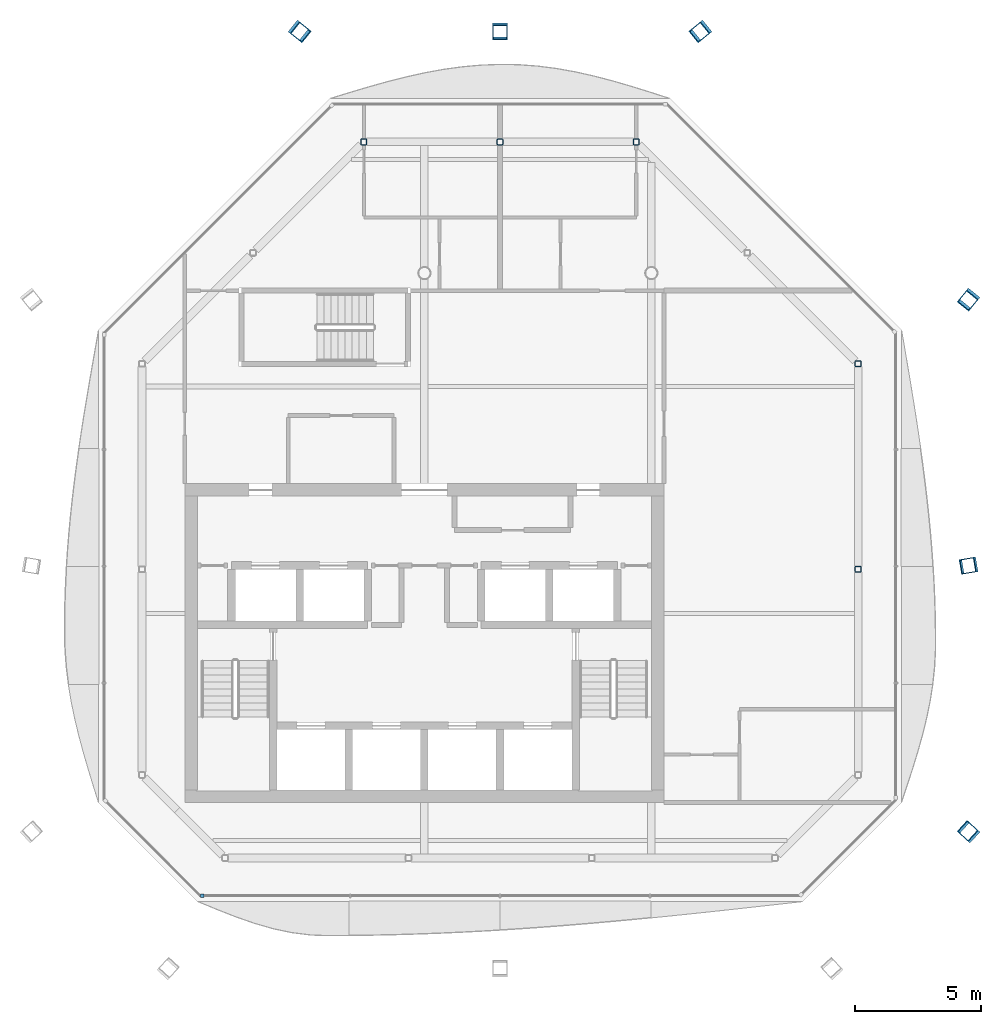
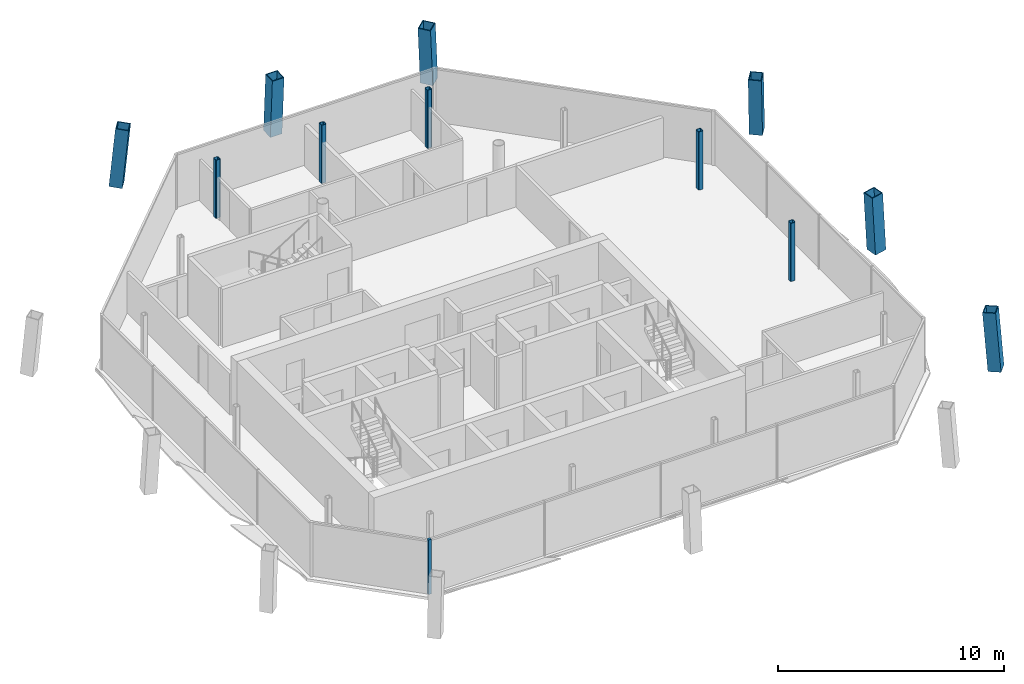
# One storey, part 2 of 13: 11 columns, 1 member, 1 element without a shape of its own.
"""IFC4 building model written with IfcOpenShell, lengths in metres."""

from ifc_helpers import new_model, si_unit, direction, frame, origin, origin_2d, place, context, subcontext, project, spatial, rectangle, hollow_rectangle, extrude, material, material_profile, profile_set, type_object, element, aggregate, save


model = new_model("IFC4")

# Units and contexts
model_context = context("Model", 3, precision=1e-05, world=origin(), true_north=direction((0.0, 1.0)))
body_context = subcontext(model_context, "Body", "Model", "MODEL_VIEW")
ifc_project = project(units=[si_unit("LENGTHUNIT", "METRE"), si_unit("AREAUNIT", "SQUARE_METRE"), si_unit("VOLUMEUNIT", "CUBIC_METRE"), si_unit("PLANEANGLEUNIT", "RADIAN"), si_unit("MASSUNIT", "GRAM", prefix="KILO")], contexts=[model_context])

# Site, building, storey
site_placement = place(None, origin())
site = spatial("IfcSite", under=ifc_project, at=site_placement, CompositionType="ELEMENT")
building_placement = place(site_placement, origin())
building = spatial("IfcBuilding", under=site, at=building_placement, Name="Tskaro Facet Tower", CompositionType="ELEMENT")
storey_placement = place(building_placement, frame((0.0, 0.0, 281.550048828125)))
storey = spatial("IfcBuildingStorey", under=building, at=storey_placement, Name="L75", CompositionType="ELEMENT", Elevation=281.550048828125)

# Columns
ifc_material_1 = material(Name="Steel S355J2", Category="steel")
ifc_material_profile_1 = material_profile(ifc_material_1, hollow_rectangle(XDim=0.60009765625, YDim=0.60009765625, WallThickness=0.0400390625, at=origin_2d()), Name="BOX 600x600x40")
ifc_profile_set_1 = profile_set([ifc_material_profile_1], Name="Steel S355J2")
column_type_1 = type_object("IfcColumnType", Name="BOX 600x600x40 mega column", PredefinedType="COLUMN", material=ifc_profile_set_1)
column_1_placement = place(storey_placement, frame((21.614990234375, -13.18798828125, 0.0), z_axis=(-0.057951446548, 0.052851719252, 0.996919417814), x_axis=(-0.673848784787, -0.738869281565, 0.0)))
element("IfcColumn", 1, at=column_1_placement, inside=storey, type_object=column_type_1, Name="BOX 600x600x40 MC04/6", PredefinedType="COLUMN", context=body_context, shape_type="SweptSolid", body=[
    extrude(hollow_rectangle(XDim=0.60009765625, YDim=0.60009765625, WallThickness=0.0400390625, at=origin_2d()), origin(), (0.0, 0.0, 1.0), 3.15966796875),
])
column_2_placement = place(storey_placement, frame((21.614990234375, -2.60009765625, 0.0), z_axis=(-0.058029752708, -0.009826371459, 0.998266492588), x_axis=(0.166956611923, -0.985964243639, 0.0)))
element("IfcColumn", 2, at=column_2_placement, inside=storey, type_object=column_type_1, Name="BOX 600x600x40 MC05/6", PredefinedType="COLUMN", context=body_context, shape_type="SweptSolid", body=[
    extrude(hollow_rectangle(XDim=0.60009765625, YDim=0.60009765625, WallThickness=0.0400390625, at=origin_2d()), origin(), (0.0, 0.0, 1.0), 3.1552734375),
])
for number, where, z_axis, x_axis, name in (
    (3, (21.614990234375, 7.987060546875, 0.0), (-0.057882880729, -0.071774772104, 0.99573990289), (0.778413039475, -0.62775245119, 0.0), "BOX 600x600x40 MC06/6"),
    (4, (10.987060546875, 18.614990234375, 0.0), (-0.071774772104, -0.057882880729, 0.99573990289), (0.62775245119, -0.778413039475, 0.0), "BOX 600x600x40 MC07/6"),
):
    element("IfcColumn", number, at=place(storey_placement, frame(where, z_axis=z_axis, x_axis=x_axis)), inside=storey, type_object=column_type_1, Name=name, PredefinedType="COLUMN", context=body_context, shape_type="SweptSolid", body=[
        extrude(hollow_rectangle(XDim=0.60009765625, YDim=0.60009765625, WallThickness=0.0400390625, at=origin_2d()), origin(), (0.0, 0.0, 1.0), 3.163330078125),
    ])
column_3_placement = place(storey_placement, frame((3.0, 18.614990234375, 0.0), z_axis=(0.0, -0.058032554517, 0.998314691175), x_axis=(1.0, 0.0, 0.0)))
element("IfcColumn", 5, at=column_3_placement, inside=storey, type_object=column_type_1, Name="BOX 600x600x40 MC08/6", PredefinedType="COLUMN", context=body_context, shape_type="SweptSolid", body=[
    extrude(hollow_rectangle(XDim=0.60009765625, YDim=0.60009765625, WallThickness=0.0400390625, at=origin_2d()), origin(), (0.0, 0.0, 1.0), 3.1552734375),
])
column_4_placement = place(storey_placement, frame((-4.987060546875, 18.614990234375, 0.0), z_axis=(0.071774772104, -0.057882880729, 0.99573990289), x_axis=(0.62775245119, 0.778413039475, 0.0)))
element("IfcColumn", 6, at=column_4_placement, inside=storey, type_object=column_type_1, Name="BOX 600x600x40 MC09/6", PredefinedType="COLUMN", context=body_context, shape_type="SweptSolid", body=[
    extrude(hollow_rectangle(XDim=0.60009765625, YDim=0.60009765625, WallThickness=0.0400390625, at=origin_2d()), origin(), (0.0, 0.0, 1.0), 3.163330078125),
])
ifc_material_2 = material(Name="Steel S355J2H", Category="steel")
ifc_material_profile_2 = material_profile(ifc_material_2, hollow_rectangle(XDim=0.25, YDim=0.25, WallThickness=0.02001953125, InnerFilletRadius=0.030029296875, OuterFilletRadius=0.050048828125, at=origin_2d()), Name="SHS 250x250x20")
ifc_profile_set_2 = profile_set([ifc_material_profile_2], Name="Steel S355J2H")
column_type_2 = type_object("IfcColumnType", Name="SHS 250x250x20 ring column", PredefinedType="COLUMN", material=ifc_profile_set_2)
for number, where, z_axis, x_axis, name in (
    (7, (17.199951171875, -2.75, 0.0), (0.0, 0.0, 1.0), (1.0, 0.0, 0.0), "SHS 250x250x20 RE-2/6"),
    (8, (17.199951171875, 5.403076171875, 0.0), (0.0, 0.0, 1.0), (1.0, 0.0, 0.0), "SHS 250x250x20 RNE-1/6"),
    (9, (8.403076171875, 14.199951171875, 0.0), (0.0, 0.0, 1.0), (1.0, 0.0, 0.0), "SHS 250x250x20 RN-1/6"),
    (10, (3.0, 14.199951171875, 0.0), (0.0, 0.0, 1.0), (1.0, 0.0, 0.0), "SHS 250x250x20 RN-2/6"),
    (11, (-2.403076171875, 14.199951171875, 0.0), (0.0, 0.0, 1.0), (1.0, 0.0, 0.0), "SHS 250x250x20 RNW-1/6"),
):
    element("IfcColumn", number, at=place(storey_placement, frame(where, z_axis=z_axis, x_axis=x_axis)), inside=storey, type_object=column_type_2, Name=name, PredefinedType="COLUMN", context=body_context, shape_type="SweptSolid", body=[
        extrude(hollow_rectangle(XDim=0.25, YDim=0.25, WallThickness=0.02001953125, InnerFilletRadius=0.030029296875, OuterFilletRadius=0.050048828125, at=origin_2d()), origin(), (0.0, 0.0, 1.0), 3.14990234375),
    ])

# Curtain wall, member
ifc_material_3 = material(Name="Bronze anodised aluminium 6063-T6", Category="aluminium")
curtain_wall_type = type_object("IfcCurtainWallType", Name="Bronze residence curtain wall (FW3)", PredefinedType="NOTDEFINED", material=ifc_material_3)
curtain_wall_placement = place(storey_placement, origin())
curtain_wall = element("IfcCurtainWall", 12, at=curtain_wall_placement, inside=storey, type_object=curtain_wall_type, Name="FW3 south facet L75", PredefinedType="NOTDEFINED")
ifc_material_profile_3 = material_profile(ifc_material_3, rectangle(XDim=0.139892578125, YDim=0.139892578125, at=origin_2d()), Name="Corner post 140x140")
ifc_profile_set_3 = profile_set([ifc_material_profile_3], Name="Bronze anodised aluminium 6063-T6")
member_type = type_object("IfcMemberType", Name="FW3 bronze corner post 140x140", PredefinedType="MULLION", material=ifc_profile_set_3)
member_placement = place(storey_placement, frame((-8.81689453125, -15.697998046875, 0.0), z_axis=(0.0, 0.0, 1.0), x_axis=(1.0, 0.0, 0.0)))
member = element("IfcMember", 13, at=member_placement, type_object=member_type, Name="FW3 south corner post", PredefinedType="MULLION", context=body_context, shape_type="SweptSolid", body=[
    extrude(rectangle(XDim=0.139892578125, YDim=0.139892578125, at=origin_2d()), origin(), (0.0, 0.0, 1.0), 2.949951171875),
])
aggregate(curtain_wall, [member])

save(model, "model.ifc")
